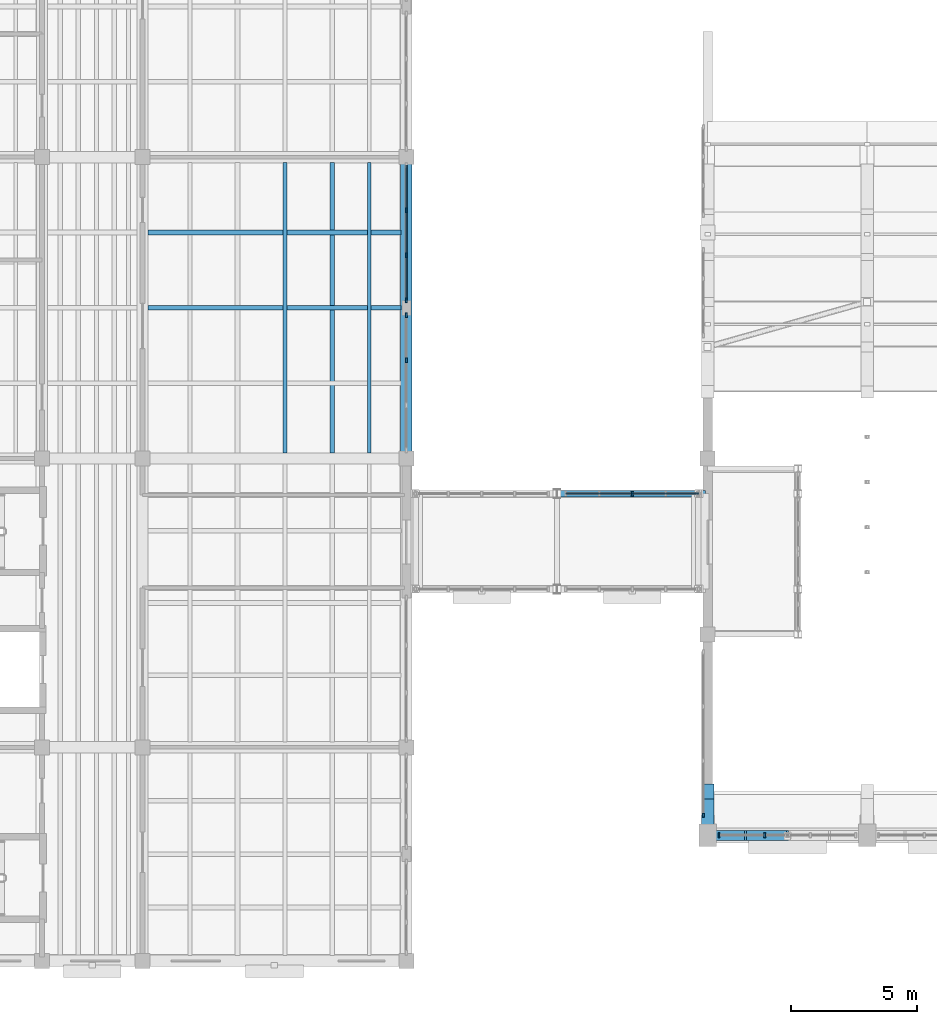
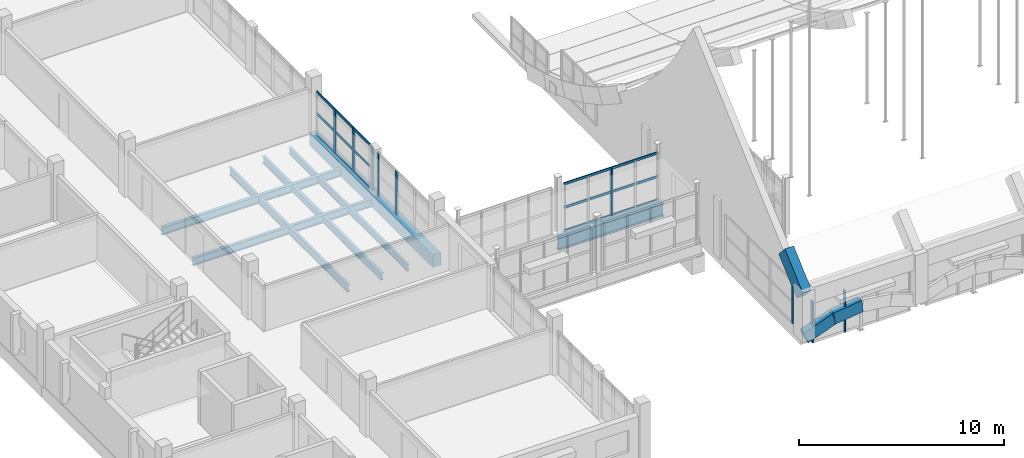
# One storey, part 14 of 77: 18 members, 7 beams, 5 elements without a shape of their own.
"""IFC4 building model written with IfcOpenShell, lengths in metres."""

from ifc_helpers import new_model, si_unit, direction, frame, origin, origin_2d, place, context, subcontext, project, spatial, rectangle, i_section, extrude, material, layer, layer_set, material_profile, profile_set, type_object, element, aggregate, save


model = new_model("IFC4")

# Units and contexts
model_context = context("Model", 3, precision=1e-05, world=origin(), true_north=direction((0.0, 1.0)))
body_context = subcontext(model_context, "Body", "Model", "MODEL_VIEW")
ifc_project = project(units=[si_unit("LENGTHUNIT", "METRE"), si_unit("AREAUNIT", "SQUARE_METRE"), si_unit("VOLUMEUNIT", "CUBIC_METRE"), si_unit("PLANEANGLEUNIT", "RADIAN"), si_unit("MASSUNIT", "GRAM", prefix="KILO")], contexts=[model_context])

# Site, building, storey
site_placement = place(None, origin())
site = spatial("IfcSite", under=ifc_project, at=site_placement, CompositionType="ELEMENT")
building_placement = place(site_placement, origin())
building = spatial("IfcBuilding", under=site, at=building_placement, Name="Trellovar Central Fire Station", CompositionType="ELEMENT")
storey_placement = place(building_placement, frame((0.0, 0.0, 5.85009765625)))
storey = spatial("IfcBuildingStorey", under=building, at=storey_placement, Name="L02", CompositionType="ELEMENT", Elevation=5.85009765625)

# Beams
ifc_material_1 = material(Name="Concrete C40/50", Category="concrete")
ifc_material_profile_1 = material_profile(ifc_material_1, rectangle(XDim=0.449951171875, YDim=0.75, at=origin_2d()), Name="RC450X750")
ifc_profile_set_1 = profile_set([ifc_material_profile_1], Name="Concrete C40/50")
beam_type_1 = type_object("IfcBeamType", Name="BM-G2", PredefinedType="BEAM", material=ifc_profile_set_1)
beam_1_placement = place(storey_placement, frame((23.0, 29.0, -0.375), z_axis=(0.0, 1.0, 0.0), x_axis=(-1.0, 0.0, 0.0)))
element("IfcBeam", 1, at=beam_1_placement, inside=storey, type_object=beam_type_1, Name="L02 beam G-2", PredefinedType="BEAM", context=body_context, shape_type="SweptSolid", body=[
    extrude(rectangle(XDim=0.449951171875, YDim=0.75, at=origin_2d()), origin(), (0.0, 0.0, 1.0), 12.0),
])
ifc_material_2 = material(Name="Steel ASTM A992 Grade 50", Category="steel")
ifc_material_profile_2 = material_profile(ifc_material_2, i_section(OverallWidth=0.15283203125, OverallDepth=0.45458984375, WebThickness=0.008056640625, FlangeThickness=0.01318359375, FilletRadius=0.0126953125, at=origin_2d()), Name="W18X40")
ifc_profile_set_2 = profile_set([ifc_material_profile_2], Name="Steel ASTM A992 Grade 50")
beam_type_2 = type_object("IfcBeamType", Name="BM-SW10", PredefinedType="JOIST", material=ifc_profile_set_2)
beam_2_placement = place(storey_placement, frame((18.169921875, 29.219970703125, -0.487548828125), z_axis=(0.0, 1.0, 0.0), x_axis=(-1.0, 0.0, 0.0)))
element("IfcBeam", 2, at=beam_2_placement, inside=storey, type_object=beam_type_2, Name="L02 secondary steel deck joist", PredefinedType="JOIST", context=body_context, shape_type="SweptSolid", body=[
    extrude(i_section(OverallWidth=0.15283203125, OverallDepth=0.45458984375, WebThickness=0.008056640625, FlangeThickness=0.01318359375, FilletRadius=0.0126953125, at=origin_2d()), origin(), (0.0, 0.0, 1.0), 11.56005859375),
])
ifc_material_3 = material(Name="Steel ASTM A992 Grade 50", Category="steel")
ifc_material_profile_3 = material_profile(ifc_material_3, i_section(OverallWidth=0.177490234375, OverallDepth=0.40380859375, WebThickness=0.007568359375, FlangeThickness=0.010986328125, FilletRadius=0.011474609375, at=origin_2d()), Name="W16X36")
ifc_profile_set_3 = profile_set([ifc_material_profile_3], Name="Steel ASTM A992 Grade 50")
beam_type_3 = type_object("IfcBeamType", Name="BM-SW11", PredefinedType="JOIST", material=ifc_profile_set_3)
beam_3_placement = place(storey_placement, frame((20.06005859375, 29.219970703125, -0.462158203125), z_axis=(0.0, 1.0, 0.0), x_axis=(-1.0, 0.0, 0.0)))
element("IfcBeam", 3, at=beam_3_placement, inside=storey, type_object=beam_type_3, Name="L02 secondary steel deck joist", PredefinedType="JOIST", context=body_context, shape_type="SweptSolid", body=[
    extrude(i_section(OverallWidth=0.177490234375, OverallDepth=0.40380859375, WebThickness=0.007568359375, FlangeThickness=0.010986328125, FilletRadius=0.011474609375, at=origin_2d()), origin(), (0.0, 0.0, 1.0), 11.56005859375),
])
ifc_material_4 = material(Name="Steel ASTM A992 Grade 50", Category="steel")
ifc_material_profile_4 = material_profile(ifc_material_4, i_section(OverallWidth=0.140380859375, OverallDepth=0.4033203125, WebThickness=0.007080078125, FlangeThickness=0.01123046875, FilletRadius=0.011474609375, at=origin_2d()), Name="W16X31")
ifc_profile_set_4 = profile_set([ifc_material_profile_4], Name="Steel ASTM A992 Grade 50")
beam_type_4 = type_object("IfcBeamType", Name="BM-SW12", PredefinedType="JOIST", material=ifc_profile_set_4)
beam_4_placement = place(storey_placement, frame((21.530029296875, 29.219970703125, -0.4619140625), z_axis=(0.0, 1.0, 0.0), x_axis=(-1.0, 0.0, 0.0)))
element("IfcBeam", 4, at=beam_4_placement, inside=storey, type_object=beam_type_4, Name="L02 secondary steel deck joist", PredefinedType="JOIST", context=body_context, shape_type="SweptSolid", body=[
    extrude(i_section(OverallWidth=0.140380859375, OverallDepth=0.4033203125, WebThickness=0.007080078125, FlangeThickness=0.01123046875, FilletRadius=0.011474609375, at=origin_2d()), origin(), (0.0, 0.0, 1.0), 11.56005859375),
])
ifc_material_5 = material(Name="Steel ASTM A992 Grade 50", Category="steel")
ifc_material_profile_5 = material_profile(ifc_material_5, i_section(OverallWidth=0.2666015625, OverallDepth=0.7578125, WebThickness=0.013916015625, FlangeThickness=0.019287109375, FilletRadius=0.01904296875, at=origin_2d()), Name="W30X108")
ifc_profile_set_5 = profile_set([ifc_material_profile_5], Name="Steel ASTM A992 Grade 50")
beam_type_5 = type_object("IfcBeamType", Name="BM-SW3", PredefinedType="BEAM", material=ifc_profile_set_5)
beam_5_placement = place(storey_placement, frame((29.0, 27.60009765625, -0.618896484375), z_axis=(1.0, 0.0, 0.0), x_axis=(0.0, 1.0, 0.0)))
element("IfcBeam", 5, at=beam_5_placement, inside=storey, type_object=beam_type_5, Name="Cloister bridge L02 girder E", PredefinedType="BEAM", context=body_context, shape_type="SweptSolid", body=[
    extrude(i_section(OverallWidth=0.2666015625, OverallDepth=0.7578125, WebThickness=0.013916015625, FlangeThickness=0.019287109375, FilletRadius=0.01904296875, at=origin_2d()), origin(), (0.0, 0.0, 1.0), 5.909912109375),
])
ifc_material_6 = material(Name="Steel ASTM A992 Grade 50", Category="steel")
ifc_material_profile_6 = material_profile(ifc_material_6, i_section(OverallWidth=0.1904296875, OverallDepth=0.457275390625, WebThickness=0.009033203125, FlangeThickness=0.014404296875, FilletRadius=0.0126953125, at=origin_2d()), Name="W18X50")
ifc_profile_set_6 = profile_set([ifc_material_profile_6], Name="Steel ASTM A992 Grade 50")
beam_type_6 = type_object("IfcBeamType", Name="BM-SW9", PredefinedType="JOIST", material=ifc_profile_set_6)
for number, where, z_axis, x_axis, name in (
    (6, (12.719970703125, 35.0, -0.48876953125), (1.0, 0.0, 0.0), (0.0, 1.0, 0.0), "L02 beam SB-9"),
    (7, (12.719970703125, 38.0, -0.48876953125), (1.0, 0.0, 0.0), (0.0, 1.0, 0.0), "L02 beam SB-9"),
):
    element("IfcBeam", number, at=place(storey_placement, frame(where, z_axis=z_axis, x_axis=x_axis)), inside=storey, type_object=beam_type_6, Name=name, PredefinedType="JOIST", context=body_context, shape_type="SweptSolid", body=[
        extrude(i_section(OverallWidth=0.1904296875, OverallDepth=0.457275390625, WebThickness=0.009033203125, FlangeThickness=0.014404296875, FilletRadius=0.0126953125, at=origin_2d()), origin(), (0.0, 0.0, 1.0), 10.06005859375),
    ])

# Curtain wall, members
ifc_material_7 = material(Name="Thermally broken bronze anodized aluminum", Category="aluminium")
ifc_layer_1 = layer(ifc_material_7, 0.159912109375)
ifc_layer_set_1 = layer_set([ifc_layer_1], Name="Thermally broken bronze anodized aluminum")
curtain_wall_type_1 = type_object("IfcCurtainWallType", Name="CW-05", PredefinedType="NOTDEFINED", material=ifc_layer_set_1)
curtain_wall_1_placement = place(storey_placement, origin())
curtain_wall_1 = element("IfcCurtainWall", 8, at=curtain_wall_1_placement, inside=storey, type_object=curtain_wall_type_1, Name="V1 south upper clerestory 1", PredefinedType="NOTDEFINED")
ifc_material_8 = material(Name="Thermally broken bronze anodized aluminum", Category="aluminium")
ifc_material_profile_7 = material_profile(ifc_material_8, rectangle(XDim=0.074951171875, YDim=0.199951171875, at=origin_2d()), Name="ALU75X200")
ifc_profile_set_7 = profile_set([ifc_material_profile_7], Name="Thermally broken bronze anodized aluminum")
member_type_1 = type_object("IfcMemberType", Name="CWM-1", PredefinedType="MULLION", material=ifc_profile_set_7)
member_1_placement = place(storey_placement, frame((35.449951171875, 14.0, -0.5), z_axis=(0.0, 0.0, 1.0), x_axis=(1.0, 0.0, 0.0)))
member_1 = element("IfcMember", 9, at=member_1_placement, type_object=member_type_1, Name="CW3-L02-0001 mullion 1", PredefinedType="MULLION", context=body_context, shape_type="SweptSolid", body=[
    extrude(rectangle(XDim=0.074951171875, YDim=0.199951171875, at=origin_2d()), origin(), (0.0, 0.0, 1.0), 2.449951171875),
])
member_2_placement = place(storey_placement, frame((37.2666015625, 14.0, -0.5), z_axis=(0.0, 0.0, 1.0), x_axis=(1.0, 0.0, 0.0)))
member_2 = element("IfcMember", 10, at=member_2_placement, type_object=member_type_1, Name="CW3-L02-0001 mullion 2", PredefinedType="MULLION", context=body_context, shape_type="SweptSolid", body=[
    extrude(rectangle(XDim=0.074951171875, YDim=0.199951171875, at=origin_2d()), origin(), (0.0, 0.0, 1.0), 2.449951171875),
])
aggregate(curtain_wall_1, [member_1, member_2])

# Curtain wall, member
ifc_material_9 = material(Name="Thermally broken bronze anodized aluminum", Category="aluminium")
ifc_layer_2 = layer(ifc_material_9, 0.159912109375)
ifc_layer_set_2 = layer_set([ifc_layer_2], Name="Thermally broken bronze anodized aluminum")
curtain_wall_type_2 = type_object("IfcCurtainWallType", Name="CW-14", PredefinedType="NOTDEFINED", material=ifc_layer_set_2)
curtain_wall_2_placement = place(storey_placement, origin())
curtain_wall_2 = element("IfcCurtainWall", 11, at=curtain_wall_2_placement, inside=storey, type_object=curtain_wall_type_2, Name="Cloister skybridge north curtain wall", PredefinedType="NOTDEFINED")
member_3_placement = place(storey_placement, frame((32.0, 27.60009765625, 0.0), z_axis=(0.0, 0.0, 1.0), x_axis=(1.0, 0.0, 0.0)))
member_3 = element("IfcMember", 12, at=member_3_placement, type_object=member_type_1, Name="CW3-L02-0024 mullion 3", PredefinedType="MULLION", context=body_context, shape_type="SweptSolid", body=[
    extrude(rectangle(XDim=0.074951171875, YDim=0.199951171875, at=origin_2d()), origin(), (0.0, 0.0, 1.0), 2.787841796875),
])

# Curtain wall, members
ifc_material_10 = material(Name="Thermally broken bronze anodized aluminum", Category="aluminium")
ifc_layer_3 = layer(ifc_material_10, 0.159912109375)
ifc_layer_set_3 = layer_set([ifc_layer_3], Name="Thermally broken bronze anodized aluminum")
curtain_wall_type_3 = type_object("IfcCurtainWallType", Name="CW-02", PredefinedType="NOTDEFINED", material=ifc_layer_set_3)
curtain_wall_3_placement = place(storey_placement, origin())
curtain_wall_3 = element("IfcCurtainWall", 13, at=curtain_wall_3_placement, inside=storey, type_object=curtain_wall_type_3, Name="L02 curtain wall CW-2", PredefinedType="NOTDEFINED")
member_4_placement = place(storey_placement, frame((23.0, 32.908203125, 0.0), z_axis=(0.0, 0.0, 1.0), x_axis=(1.0, 0.0, 0.0)))
member_4 = element("IfcMember", 14, at=member_4_placement, type_object=member_type_1, Name="CW3-L02-0039 mullion 3", PredefinedType="MULLION", context=body_context, shape_type="SweptSolid", body=[
    extrude(rectangle(XDim=0.074951171875, YDim=0.199951171875, at=origin_2d()), origin(), (0.0, 0.0, 1.0), 2.5498046875),
])
member_5_placement = place(storey_placement, frame((23.0, 34.699951171875, 0.0), z_axis=(0.0, 0.0, 1.0), x_axis=(1.0, 0.0, 0.0)))
member_5 = element("IfcMember", 15, at=member_5_placement, type_object=member_type_1, Name="CW3-L02-0039 mullion 4", PredefinedType="MULLION", context=body_context, shape_type="SweptSolid", body=[
    extrude(rectangle(XDim=0.074951171875, YDim=0.199951171875, at=origin_2d()), origin(), (0.0, 0.0, 1.0), 2.5498046875),
])
aggregate(curtain_wall_3, [member_4, member_5])

curtain_wall_4_placement = place(storey_placement, origin())
curtain_wall_4 = element("IfcCurtainWall", 16, at=curtain_wall_4_placement, inside=storey, type_object=curtain_wall_type_3, Name="L02 curtain wall CW-2", PredefinedType="NOTDEFINED")
member_6_placement = place(storey_placement, frame((23.0, 35.300048828125, 0.0), z_axis=(0.0, 0.0, 1.0), x_axis=(1.0, 0.0, 0.0)))
member_6 = element("IfcMember", 17, at=member_6_placement, type_object=member_type_1, Name="CW3-L02-0040 mullion 1", PredefinedType="MULLION", context=body_context, shape_type="SweptSolid", body=[
    extrude(rectangle(XDim=0.074951171875, YDim=0.199951171875, at=origin_2d()), origin(), (0.0, 0.0, 1.0), 2.5498046875),
])
member_7_placement = place(storey_placement, frame((23.0, 37.091796875, 0.0), z_axis=(0.0, 0.0, 1.0), x_axis=(1.0, 0.0, 0.0)))
member_7 = element("IfcMember", 18, at=member_7_placement, type_object=member_type_1, Name="CW3-L02-0040 mullion 2", PredefinedType="MULLION", context=body_context, shape_type="SweptSolid", body=[
    extrude(rectangle(XDim=0.074951171875, YDim=0.199951171875, at=origin_2d()), origin(), (0.0, 0.0, 1.0), 2.5498046875),
])
member_8_placement = place(storey_placement, frame((23.0, 38.88330078125, 0.0), z_axis=(0.0, 0.0, 1.0), x_axis=(1.0, 0.0, 0.0)))
member_8 = element("IfcMember", 19, at=member_8_placement, type_object=member_type_1, Name="CW3-L02-0040 mullion 3", PredefinedType="MULLION", context=body_context, shape_type="SweptSolid", body=[
    extrude(rectangle(XDim=0.074951171875, YDim=0.199951171875, at=origin_2d()), origin(), (0.0, 0.0, 1.0), 2.5498046875),
])

# Curtain wall, member
ifc_material_11 = material(Name="Thermally broken bronze anodized aluminum", Category="aluminium")
ifc_layer_4 = layer(ifc_material_11, 0.159912109375)
ifc_layer_set_4 = layer_set([ifc_layer_4], Name="Thermally broken bronze anodized aluminum")
curtain_wall_type_4 = type_object("IfcCurtainWallType", Name="CW-15", PredefinedType="NOTDEFINED", material=ifc_layer_set_4)
curtain_wall_5_placement = place(storey_placement, origin())
curtain_wall_5 = element("IfcCurtainWall", 20, at=curtain_wall_5_placement, inside=storey, type_object=curtain_wall_type_4, Name="V1 W ski-jump gable clerestory 1", PredefinedType="NOTDEFINED")
ifc_material_12 = material(Name="Thermally broken bronze anodized aluminum", Category="aluminium")
ifc_material_profile_8 = material_profile(ifc_material_12, rectangle(XDim=0.06494140625, YDim=0.175048828125, at=origin_2d()), Name="ALU65X175")
ifc_profile_set_8 = profile_set([ifc_material_profile_8], Name="Thermally broken bronze anodized aluminum")
member_type_2 = type_object("IfcMemberType", Name="CWM-2", PredefinedType="MULLION", material=ifc_profile_set_8)
member_9_placement = place(storey_placement, frame((34.820068359375, 14.800048828125, 0.349853515625), z_axis=(0.0, 0.0, 1.0), x_axis=(1.0, 0.0, 0.0)))
member_9 = element("IfcMember", 21, at=member_9_placement, type_object=member_type_2, Name="CW3-L02-0011 mullion 1", PredefinedType="MULLION", context=body_context, shape_type="SweptSolid", body=[
    extrude(rectangle(XDim=0.06494140625, YDim=0.175048828125, at=origin_2d()), origin(), (0.0, 0.0, 1.0), 2.5),
])
aggregate(curtain_wall_5, [member_9])

# Member
ifc_material_13 = material(Name="Thermally broken bronze anodized aluminum", Category="aluminium")
ifc_material_profile_9 = material_profile(ifc_material_13, rectangle(XDim=0.06005859375, YDim=0.139892578125, at=origin_2d()), Name="ALU60X140")
ifc_profile_set_9 = profile_set([ifc_material_profile_9], Name="Thermally broken bronze anodized aluminum")
member_type_3 = type_object("IfcMemberType", Name="CWT-1", PredefinedType="USERDEFINED", material=ifc_profile_set_9)
member_10_placement = place(storey_placement, frame((34.64990234375, 27.60009765625, 0.0), z_axis=(-1.0, 0.0, 0.0), x_axis=(0.0, -1.0, 0.0)))
member_10 = element("IfcMember", 22, at=member_10_placement, type_object=member_type_3, Name="CW3-L02-0024 transom 1", ObjectType="TRANSOM", PredefinedType="USERDEFINED", context=body_context, shape_type="SweptSolid", body=[
    extrude(rectangle(XDim=0.06005859375, YDim=0.139892578125, at=origin_2d()), origin(), (0.0, 0.0, 1.0), 5.2998046875),
])

member_11_placement = place(storey_placement, frame((34.64990234375, 27.60009765625, 1.393798828125), z_axis=(-1.0, 0.0, 0.0), x_axis=(0.0, -1.0, 0.0)))
member_11 = element("IfcMember", 23, at=member_11_placement, type_object=member_type_3, Name="CW3-L02-0024 transom 2", ObjectType="TRANSOM", PredefinedType="USERDEFINED", context=body_context, shape_type="SweptSolid", body=[
    extrude(rectangle(XDim=0.06005859375, YDim=0.139892578125, at=origin_2d()), origin(), (0.0, 0.0, 1.0), 5.2998046875),
])

member_12_placement = place(storey_placement, frame((34.64990234375, 27.60009765625, 2.787841796875), z_axis=(-1.0, 0.0, 0.0), x_axis=(0.0, -1.0, 0.0)))
member_12 = element("IfcMember", 24, at=member_12_placement, type_object=member_type_3, Name="CW3-L02-0024 transom 3", ObjectType="TRANSOM", PredefinedType="USERDEFINED", context=body_context, shape_type="SweptSolid", body=[
    extrude(rectangle(XDim=0.06005859375, YDim=0.139892578125, at=origin_2d()), origin(), (0.0, 0.0, 1.0), 5.2998046875),
])

aggregate(curtain_wall_2, [member_3, member_10, member_11, member_12])

member_13_placement = place(storey_placement, frame((23.0, 35.300048828125, 0.0), z_axis=(0.0, 1.0, 0.0), x_axis=(-1.0, 0.0, 0.0)))
member_13 = element("IfcMember", 25, at=member_13_placement, type_object=member_type_3, Name="CW3-L02-0040 transom 1", ObjectType="TRANSOM", PredefinedType="USERDEFINED", context=body_context, shape_type="SweptSolid", body=[
    extrude(rectangle(XDim=0.06005859375, YDim=0.139892578125, at=origin_2d()), origin(), (0.0, 0.0, 1.0), 5.375),
])

member_14_placement = place(storey_placement, frame((23.0, 35.300048828125, 1.27490234375), z_axis=(0.0, 1.0, 0.0), x_axis=(-1.0, 0.0, 0.0)))
member_14 = element("IfcMember", 26, at=member_14_placement, type_object=member_type_3, Name="CW3-L02-0040 transom 2", ObjectType="TRANSOM", PredefinedType="USERDEFINED", context=body_context, shape_type="SweptSolid", body=[
    extrude(rectangle(XDim=0.06005859375, YDim=0.139892578125, at=origin_2d()), origin(), (0.0, 0.0, 1.0), 5.375),
])

member_15_placement = place(storey_placement, frame((23.0, 35.300048828125, 2.5498046875), z_axis=(0.0, 1.0, 0.0), x_axis=(-1.0, 0.0, 0.0)))
member_15 = element("IfcMember", 27, at=member_15_placement, type_object=member_type_3, Name="CW3-L02-0040 transom 3", ObjectType="TRANSOM", PredefinedType="USERDEFINED", context=body_context, shape_type="SweptSolid", body=[
    extrude(rectangle(XDim=0.06005859375, YDim=0.139892578125, at=origin_2d()), origin(), (0.0, 0.0, 1.0), 5.375),
])

aggregate(curtain_wall_4, [member_6, member_7, member_8, member_13, member_14, member_15])

# Members
ifc_material_14 = material(Name="Concrete C40/50", Category="concrete")
ifc_material_profile_10 = material_profile(ifc_material_14, rectangle(XDim=0.5, YDim=0.89990234375, at=origin_2d()), Name="RC500X900")
ifc_profile_set_10 = profile_set([ifc_material_profile_10], Name="Concrete C40/50")
member_type_4 = type_object("IfcMemberType", Name="MEM-AR1", PredefinedType="CHORD", material=ifc_profile_set_10)
member_16_placement = place(storey_placement, frame((35.0, 14.0, 2.5), z_axis=(0.0, 0.744410696022, 0.667722034718), x_axis=(-1.0, 0.0, 0.0)))
element("IfcMember", 28, at=member_16_placement, inside=storey, type_object=member_type_4, Name="Parabolic arch rib AR-01 chord 01", PredefinedType="CHORD", context=body_context, shape_type="SweptSolid", body=[
    extrude(rectangle(XDim=0.5, YDim=0.89990234375, at=origin_2d()), origin(), (0.0, 0.0, 1.0), 2.34619140625),
])
ifc_material_15 = material(Name="Concrete C40/50", Category="concrete")
ifc_material_profile_11 = material_profile(ifc_material_15, rectangle(XDim=0.39990234375, YDim=0.699951171875, at=origin_2d()), Name="RC400X700")
ifc_profile_set_11 = profile_set([ifc_material_profile_11], Name="Concrete C40/50")
member_type_5 = type_object("IfcMemberType", Name="MEM-LR1", PredefinedType="CHORD", material=ifc_profile_set_11)
member_17_placement = place(storey_placement, frame((35.0, 14.0, 0.0), z_axis=(0.935439324213, 0.0, 0.35348729923), x_axis=(0.0, 1.0, 0.0)))
element("IfcMember", 29, at=member_17_placement, inside=storey, type_object=member_type_5, Name="V1 south bay 1 parabolic portal arch seg 1", PredefinedType="CHORD", context=body_context, shape_type="SweptSolid", body=[
    extrude(rectangle(XDim=0.39990234375, YDim=0.699951171875, at=origin_2d()), origin(), (0.0, 0.0, 1.0), 1.697021484375),
])
member_18_placement = place(storey_placement, frame((36.58740234375, 14.0, 0.599853515625), z_axis=(0.992162435838, 0.0, 0.124954795472), x_axis=(0.0, 1.0, 0.0)))
element("IfcMember", 30, at=member_18_placement, inside=storey, type_object=member_type_5, Name="V1 south bay 1 parabolic portal arch seg 2", PredefinedType="CHORD", context=body_context, shape_type="SweptSolid", body=[
    extrude(rectangle(XDim=0.39990234375, YDim=0.699951171875, at=origin_2d()), origin(), (0.0, 0.0, 1.0), 1.60009765625),
])

save(model, "model.ifc")
